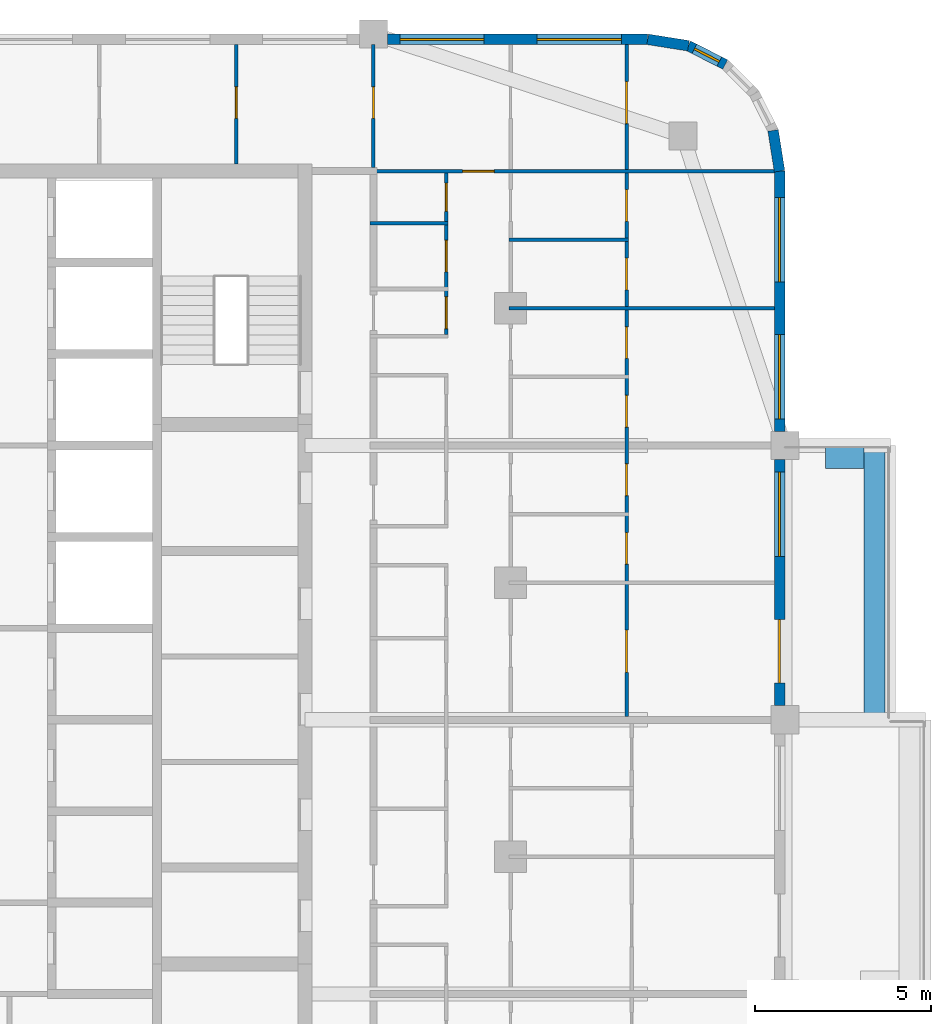
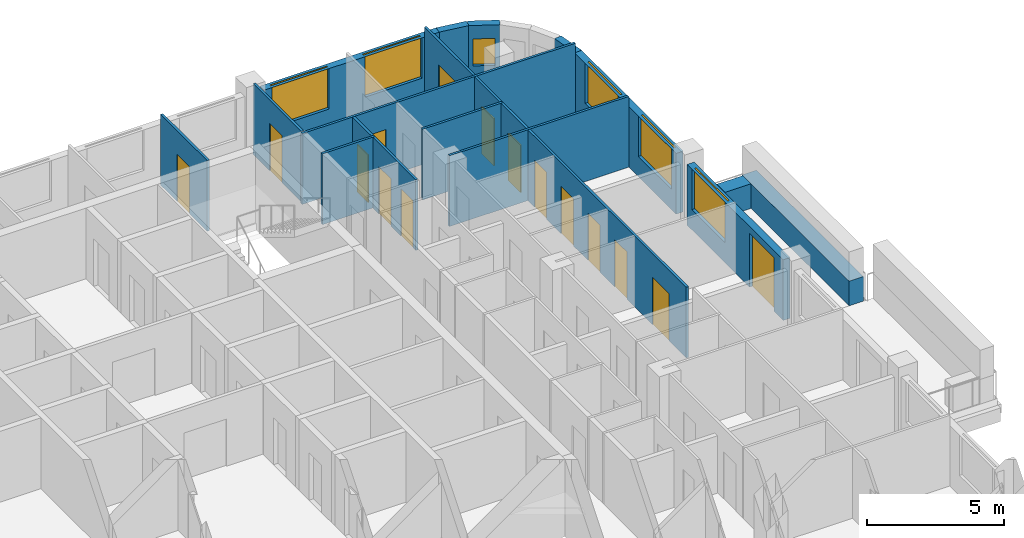
# One storey, part 11 of 15: 16 walls, 15 doors, 6 windows, 21 openings.
"""IFC4 building model written with IfcOpenShell, lengths in metres."""

from ifc_helpers import new_model, si_unit, direction, frame, frame_2d, origin, place, context, subcontext, project, spatial, rectangle, extrude, material, layer, layer_set, type_object, element, fill, save


model = new_model("IFC4")

# Units and contexts
model_context = context("Model", 3, precision=1e-05, world=origin(), true_north=direction((0.0, 1.0)))
body_context = subcontext(model_context, "Body", "Model", "MODEL_VIEW")
ifc_project = project(units=[si_unit("LENGTHUNIT", "METRE"), si_unit("AREAUNIT", "SQUARE_METRE"), si_unit("VOLUMEUNIT", "CUBIC_METRE"), si_unit("PLANEANGLEUNIT", "RADIAN"), si_unit("MASSUNIT", "GRAM", prefix="KILO")], contexts=[model_context])

# Site, building, storey
site_placement = place(None, origin())
site = spatial("IfcSite", under=ifc_project, at=site_placement, CompositionType="ELEMENT")
building_placement = place(site_placement, origin())
building = spatial("IfcBuilding", under=site, at=building_placement, Name="Ludao Terraces", CompositionType="ELEMENT")
storey_placement = place(building_placement, frame((0.0, 0.0, 197.300048828125)))
storey = spatial("IfcBuildingStorey", under=building, at=storey_placement, Name="L53", CompositionType="ELEMENT", Elevation=197.300048828125)

# Walls
ifc_material_1 = material(Name="Concrete C40", Category="concrete")
ifc_layer_1 = layer(ifc_material_1, 0.60009765625)
ifc_layer_set_1 = layer_set([ifc_layer_1], Name="ENV Planter trough 600")
wall_type_1 = type_object("IfcWallType", Name="ENV Planter trough 600", PredefinedType="USERDEFINED", material=ifc_layer_set_1)
wall_1_placement = place(storey_placement, frame((110.949951171875, 68.89990234375, 0.0), z_axis=(0.0, 0.0, 1.0), x_axis=(0.0, 1.0, 0.0)))
element("IfcWall", 1, at=wall_1_placement, inside=storey, type_object=wall_type_1, Name="PL-L53-E2", ObjectType="PLANTER", PredefinedType="USERDEFINED", context=body_context, shape_type="SweptSolid", body=[
    extrude(rectangle(XDim=7.800048828125, YDim=0.60009765625, at=frame_2d((3.89990234375, 0.0))), origin(), (0.0, 0.0, 1.0), 1.099853515625),
])
wall_2_placement = place(storey_placement, frame((110.64990234375, 76.35009765625, 0.0), z_axis=(0.0, 0.0, 1.0), x_axis=(-1.0, 0.0, 0.0)))
element("IfcWall", 2, at=wall_2_placement, inside=storey, type_object=wall_type_1, Name="PL-L53-E2-SB", ObjectType="PLANTER", PredefinedType="USERDEFINED", context=body_context, shape_type="SweptSolid", body=[
    extrude(rectangle(XDim=1.099853515625, YDim=0.60009765625, at=frame_2d((0.5498046875, 0.0))), origin(), (0.0, 0.0, 1.0), 1.099853515625),
])

# Wall, openings, door, window
ifc_material_2 = material(Name="Granite cladding", Category="masonry")
ifc_layer_2 = layer(ifc_material_2, 0.0400390625, Category="stone")
ifc_material_3 = material(Name="Mineral wool")
ifc_layer_3 = layer(ifc_material_3, 0.06005859375)
ifc_layer_4 = layer(ifc_material_1, 0.199951171875, Category="concrete")
ifc_layer_set_2 = layer_set([ifc_layer_2, ifc_layer_3, ifc_layer_4], Name="ENV Stone-clad wall 300")
wall_type_2 = type_object("IfcWallType", Name="ENV Stone-clad wall 300", PredefinedType="SOLIDWALL", material=ifc_layer_set_2)
wall_3_placement = place(storey_placement, frame((108.25, 69.300048828125, 0.0), z_axis=(0.0, 0.0, 1.0), x_axis=(0.0, 1.0, 0.0)))
wall_3 = element("IfcWall", 3, at=wall_3_placement, inside=storey, type_object=wall_type_2, Name="EW-L53-E4", PredefinedType="SOLIDWALL", context=body_context, shape_type="SweptSolid", body=[
    extrude(rectangle(XDim=7.0, YDim=0.300048828125, at=frame_2d((3.5, 0.0))), origin(), (0.0, 0.0, 1.0), 2.699951171875),
])
opening_1_placement = place(wall_3_placement, frame((0.64990234375, 0.0, 0.0)))
opening_1 = element("IfcOpeningElement", 4, at=opening_1_placement, cuts=wall_3, Name="Opening BD", PredefinedType="OPENING", context=body_context, shape_type="SweptSolid", body=[
    extrude(rectangle(XDim=1.800048828125, YDim=2.39990234375, at=frame_2d((0.89990234375, 1.199951171875))), frame((0.0, 0.16015625, 0.0), z_axis=(0.0, -1.0, 0.0), x_axis=(1.0, 0.0, 0.0)), (0.0, 0.0, 1.0), 0.320068359375),
])
opening_2_placement = place(wall_3_placement, frame((4.25, 0.0, 0.89990234375)))
opening_2 = element("IfcOpeningElement", 5, at=opening_2_placement, cuts=wall_3, Name="Opening W1", PredefinedType="OPENING", context=body_context, shape_type="SweptSolid", body=[
    extrude(rectangle(XDim=2.39990234375, YDim=1.800048828125, at=frame_2d((1.199951171875, 0.89990234375))), frame((0.0, 0.16015625, 0.0), z_axis=(0.0, -1.0, 0.0), x_axis=(1.0, 0.0, 0.0)), (0.0, 0.0, 1.0), 0.320068359375),
])
ifc_material_4 = material(Name="Aluminium glazed door", Category="aluminium")
ifc_layer_5 = layer(ifc_material_4, 0.06005859375)
ifc_layer_set_3 = layer_set([ifc_layer_5], Name="ENV Balcony door BD 1800x2400")
door_type_1 = type_object("IfcDoorType", Name="ENV Balcony door BD 1800x2400", OperationType="DOUBLE_DOOR_SINGLE_SWING", PredefinedType="DOOR", material=ifc_layer_set_3)
door_1_placement = place(opening_1_placement, origin())
door_1 = element("IfcDoor", 6, at=door_1_placement, inside=storey, type_object=door_type_1, Name="BD-L53-E4-1", OperationType="DOUBLE_DOOR_SINGLE_SWING", OverallHeight=2.39990234375, OverallWidth=1.800048828125, PredefinedType="DOOR", context=body_context, shape_type="SweptSolid", body=[
    extrude(rectangle(XDim=1.800048828125, YDim=2.39990234375, at=frame_2d((0.89990234375, 1.199951171875))), frame((0.0, 0.02490234375, 0.0), z_axis=(0.0, -1.0, 0.0), x_axis=(1.0, 0.0, 0.0)), (0.0, 0.0, 1.0), 0.050048828125),
])
fill(opening_1, door_1)
ifc_material_5 = material(Name="Clear glass in aluminium frame", Category="aluminium")
ifc_layer_6 = layer(ifc_material_5, 0.06005859375)
ifc_layer_set_4 = layer_set([ifc_layer_6], Name="ENV Window W1 2400x1800")
window_type_1 = type_object("IfcWindowType", Name="ENV Window W1 2400x1800", PartitioningType="DOUBLE_PANEL_VERTICAL", PredefinedType="WINDOW", material=ifc_layer_set_4)
window_1_placement = place(opening_2_placement, origin())
window_1 = element("IfcWindow", 7, at=window_1_placement, inside=storey, type_object=window_type_1, Name="W-L53-E4-2", OverallHeight=1.800048828125, OverallWidth=2.39990234375, PartitioningType="DOUBLE_PANEL_VERTICAL", PredefinedType="WINDOW", context=body_context, shape_type="SweptSolid", body=[
    extrude(rectangle(XDim=2.39990234375, YDim=1.800048828125, at=frame_2d((1.199951171875, 0.89990234375))), frame((0.0, 0.030029296875, 0.0), z_axis=(0.0, -1.0, 0.0), x_axis=(1.0, 0.0, 0.0)), (0.0, 0.0, 1.0), 0.06005859375),
])
fill(opening_2, window_1)

# Wall, openings, windows
wall_4_placement = place(storey_placement, frame((108.25, 77.10009765625, 0.0), z_axis=(0.0, 0.0, 1.0), x_axis=(0.0, 1.0, 0.0)))
wall_4 = element("IfcWall", 8, at=wall_4_placement, inside=storey, type_object=wall_type_2, Name="EW-L53-E5", PredefinedType="SOLIDWALL", context=body_context, shape_type="SweptSolid", body=[
    extrude(rectangle(XDim=7.39990234375, YDim=0.300048828125, at=frame_2d((3.699951171875, 0.0))), origin(), (0.0, 0.0, 1.0), 2.699951171875),
])
opening_3_placement = place(wall_4_placement, frame((0.35009765625, 0.0, 0.89990234375)))
opening_3 = element("IfcOpeningElement", 9, at=opening_3_placement, cuts=wall_4, Name="Opening W1", PredefinedType="OPENING", context=body_context, shape_type="SweptSolid", body=[
    extrude(rectangle(XDim=2.39990234375, YDim=1.800048828125, at=frame_2d((1.199951171875, 0.89990234375))), frame((0.0, 0.16015625, 0.0), z_axis=(0.0, -1.0, 0.0), x_axis=(1.0, 0.0, 0.0)), (0.0, 0.0, 1.0), 0.320068359375),
])
opening_4_placement = place(wall_4_placement, frame((4.25, 0.0, 0.89990234375)))
opening_4 = element("IfcOpeningElement", 10, at=opening_4_placement, cuts=wall_4, Name="Opening W1", PredefinedType="OPENING", context=body_context, shape_type="SweptSolid", body=[
    extrude(rectangle(XDim=2.39990234375, YDim=1.800048828125, at=frame_2d((1.199951171875, 0.89990234375))), frame((0.0, 0.16015625, 0.0), z_axis=(0.0, -1.0, 0.0), x_axis=(1.0, 0.0, 0.0)), (0.0, 0.0, 1.0), 0.320068359375),
])
window_2_placement = place(opening_3_placement, origin())
window_2 = element("IfcWindow", 11, at=window_2_placement, inside=storey, type_object=window_type_1, Name="W-L53-E5-1", OverallHeight=1.800048828125, OverallWidth=2.39990234375, PartitioningType="DOUBLE_PANEL_VERTICAL", PredefinedType="WINDOW", context=body_context, shape_type="SweptSolid", body=[
    extrude(rectangle(XDim=2.39990234375, YDim=1.800048828125, at=frame_2d((1.199951171875, 0.89990234375))), frame((0.0, 0.030029296875, 0.0), z_axis=(0.0, -1.0, 0.0), x_axis=(1.0, 0.0, 0.0)), (0.0, 0.0, 1.0), 0.06005859375),
])
fill(opening_3, window_2)
window_3_placement = place(opening_4_placement, origin())
window_3 = element("IfcWindow", 12, at=window_3_placement, inside=storey, type_object=window_type_1, Name="W-L53-E5-2", OverallHeight=1.800048828125, OverallWidth=2.39990234375, PartitioningType="DOUBLE_PANEL_VERTICAL", PredefinedType="WINDOW", context=body_context, shape_type="SweptSolid", body=[
    extrude(rectangle(XDim=2.39990234375, YDim=1.800048828125, at=frame_2d((1.199951171875, 0.89990234375))), frame((0.0, 0.030029296875, 0.0), z_axis=(0.0, -1.0, 0.0), x_axis=(1.0, 0.0, 0.0)), (0.0, 0.0, 1.0), 0.06005859375),
])
fill(opening_4, window_3)

wall_5_placement = place(storey_placement, frame((97.10009765625, 88.25, 0.0), z_axis=(0.0, 0.0, 1.0), x_axis=(1.0, 0.0, 0.0)))
wall_5 = element("IfcWall", 13, at=wall_5_placement, inside=storey, type_object=wall_type_2, Name="EW-L53-N3", PredefinedType="SOLIDWALL", context=body_context, shape_type="SweptSolid", body=[
    extrude(rectangle(XDim=7.39990234375, YDim=0.300048828125, at=frame_2d((3.699951171875, 0.0))), origin(), (0.0, 0.0, 1.0), 2.699951171875),
])
opening_5_placement = place(wall_5_placement, frame((0.35009765625, 0.0, 0.89990234375)))
opening_5 = element("IfcOpeningElement", 14, at=opening_5_placement, cuts=wall_5, Name="Opening W1", PredefinedType="OPENING", context=body_context, shape_type="SweptSolid", body=[
    extrude(rectangle(XDim=2.39990234375, YDim=1.800048828125, at=frame_2d((1.199951171875, 0.89990234375))), frame((0.0, 0.16015625, 0.0), z_axis=(0.0, -1.0, 0.0), x_axis=(1.0, 0.0, 0.0)), (0.0, 0.0, 1.0), 0.320068359375),
])
opening_6_placement = place(wall_5_placement, frame((4.25, 0.0, 0.89990234375)))
opening_6 = element("IfcOpeningElement", 15, at=opening_6_placement, cuts=wall_5, Name="Opening W1", PredefinedType="OPENING", context=body_context, shape_type="SweptSolid", body=[
    extrude(rectangle(XDim=2.39990234375, YDim=1.800048828125, at=frame_2d((1.199951171875, 0.89990234375))), frame((0.0, 0.16015625, 0.0), z_axis=(0.0, -1.0, 0.0), x_axis=(1.0, 0.0, 0.0)), (0.0, 0.0, 1.0), 0.320068359375),
])
window_4_placement = place(opening_5_placement, origin())
window_4 = element("IfcWindow", 16, at=window_4_placement, inside=storey, type_object=window_type_1, Name="W-L53-N3-1", OverallHeight=1.800048828125, OverallWidth=2.39990234375, PartitioningType="DOUBLE_PANEL_VERTICAL", PredefinedType="WINDOW", context=body_context, shape_type="SweptSolid", body=[
    extrude(rectangle(XDim=2.39990234375, YDim=1.800048828125, at=frame_2d((1.199951171875, 0.89990234375))), frame((0.0, 0.030029296875, 0.0), z_axis=(0.0, -1.0, 0.0), x_axis=(1.0, 0.0, 0.0)), (0.0, 0.0, 1.0), 0.06005859375),
])
fill(opening_5, window_4)
window_5_placement = place(opening_6_placement, origin())
window_5 = element("IfcWindow", 17, at=window_5_placement, inside=storey, type_object=window_type_1, Name="W-L53-N3-2", OverallHeight=1.800048828125, OverallWidth=2.39990234375, PartitioningType="DOUBLE_PANEL_VERTICAL", PredefinedType="WINDOW", context=body_context, shape_type="SweptSolid", body=[
    extrude(rectangle(XDim=2.39990234375, YDim=1.800048828125, at=frame_2d((1.199951171875, 0.89990234375))), frame((0.0, 0.030029296875, 0.0), z_axis=(0.0, -1.0, 0.0), x_axis=(1.0, 0.0, 0.0)), (0.0, 0.0, 1.0), 0.06005859375),
])
fill(opening_6, window_5)

# Wall
wall_6_placement = place(storey_placement, frame((108.25, 84.5, 0.0), z_axis=(0.0, 0.0, 1.0), x_axis=(-0.156496880861, 0.987678452879, 0.0)))
element("IfcWall", 18, at=wall_6_placement, inside=storey, type_object=wall_type_2, Name="EW-L53-NE1", PredefinedType="SOLIDWALL", context=body_context, shape_type="SweptSolid", body=[
    extrude(rectangle(XDim=1.173095703125, YDim=0.300048828125, at=frame_2d((0.58642578125, 0.0))), origin(), (0.0, 0.0, 1.0), 2.699951171875),
])

# Wall, opening, window
wall_7_placement = place(storey_placement, frame((106.7041015625, 87.53369140625, 0.0), z_axis=(0.0, 0.0, 1.0), x_axis=(-0.890988677504, 0.454025524128, 0.0)))
wall_7 = element("IfcWall", 19, at=wall_7_placement, inside=storey, type_object=wall_type_2, Name="EW-L53-NE4", PredefinedType="SOLIDWALL", context=body_context, shape_type="SweptSolid", body=[
    extrude(rectangle(XDim=1.17333984375, YDim=0.300048828125, at=frame_2d((0.586669921875, 0.0))), origin(), (0.0, 0.0, 1.0), 2.699951171875),
])
opening_7_placement = place(wall_7_placement, frame((0.1865234375, 0.0, 0.89990234375)))
opening_7 = element("IfcOpeningElement", 20, at=opening_7_placement, cuts=wall_7, Name="Opening W3", PredefinedType="OPENING", context=body_context, shape_type="SweptSolid", body=[
    extrude(rectangle(XDim=0.800048828125, YDim=1.199951171875, at=frame_2d((0.39990234375, 0.60009765625))), frame((0.0, 0.16015625, 0.0), z_axis=(0.0, -1.0, 0.0), x_axis=(1.0, 0.0, 0.0)), (0.0, 0.0, 1.0), 0.320068359375),
])
ifc_layer_7 = layer(ifc_material_5, 0.06005859375)
ifc_layer_set_5 = layer_set([ifc_layer_7], Name="ENV Window W3 800x1200")
window_type_2 = type_object("IfcWindowType", Name="ENV Window W3 800x1200", PartitioningType="SINGLE_PANEL", PredefinedType="WINDOW", material=ifc_layer_set_5)
window_6_placement = place(opening_7_placement, origin())
window_6 = element("IfcWindow", 21, at=window_6_placement, inside=storey, type_object=window_type_2, Name="W-L53-NE4", OverallHeight=1.199951171875, OverallWidth=0.800048828125, PartitioningType="SINGLE_PANEL", PredefinedType="WINDOW", context=body_context, shape_type="SweptSolid", body=[
    extrude(rectangle(XDim=0.800048828125, YDim=1.199951171875, at=frame_2d((0.39990234375, 0.60009765625))), frame((0.0, 0.030029296875, 0.0), z_axis=(0.0, -1.0, 0.0), x_axis=(1.0, 0.0, 0.0)), (0.0, 0.0, 1.0), 0.06005859375),
])
fill(opening_7, window_6)

# Walls
wall_8_placement = place(storey_placement, frame((105.65869140625, 88.06640625, 0.0), z_axis=(0.0, 0.0, 1.0), x_axis=(-0.987678452879, 0.156496880861, 0.0)))
element("IfcWall", 22, at=wall_8_placement, inside=storey, type_object=wall_type_2, Name="EW-L53-NE5", PredefinedType="SOLIDWALL", context=body_context, shape_type="SweptSolid", body=[
    extrude(rectangle(XDim=1.173095703125, YDim=0.300048828125, at=frame_2d((0.58642578125, 0.0))), origin(), (0.0, 0.0, 1.0), 2.699951171875),
])
ifc_material_6 = material(Name="Gypsum plasterboard", Category="gypsum")
ifc_layer_8 = layer(ifc_material_6, 0.012451171875, Category="gypsum")
ifc_layer_9 = layer(ifc_material_3, 0.06005859375, Name="insulation")
ifc_material_7 = material(Name="Steel Q235", Category="steel")
ifc_layer_10 = layer(ifc_material_7, 0.014892578125, Name="stud")
ifc_layer_11 = layer(ifc_material_6, 0.012451171875, Category="gypsum")
ifc_layer_set_6 = layer_set([ifc_layer_8, ifc_layer_9, ifc_layer_10, ifc_layer_11], Name="INT Partition 100")
wall_type_3 = type_object("IfcWallType", Name="INT Partition 100", PredefinedType="PARTITIONING", material=ifc_layer_set_6)
wall_9_placement = place(storey_placement, frame((100.550048828125, 80.60009765625, 0.0), z_axis=(0.0, 0.0, 1.0), x_axis=(1.0, 0.0, 0.0)))
element("IfcWall", 23, at=wall_9_placement, inside=storey, type_object=wall_type_3, Name="PW-L53-PW065", PredefinedType="PARTITIONING", context=body_context, shape_type="SweptSolid", body=[
    extrude(rectangle(XDim=7.550048828125, YDim=0.10009765625, at=frame_2d((3.77490234375, 0.0))), origin(), (0.0, 0.0, 1.0), 3.14990234375),
])
wall_10_placement = place(storey_placement, frame((100.550048828125, 82.550048828125, 0.0), z_axis=(0.0, 0.0, 1.0), x_axis=(1.0, 0.0, 0.0)))
element("IfcWall", 24, at=wall_10_placement, inside=storey, type_object=wall_type_3, Name="PW-L53-PW068", PredefinedType="PARTITIONING", context=body_context, shape_type="SweptSolid", body=[
    extrude(rectangle(XDim=3.400146484375, YDim=0.10009765625, at=frame_2d((1.7001953125, 0.0))), origin(), (0.0, 0.0, 1.0), 3.14990234375),
])
wall_11_placement = place(storey_placement, frame((96.60009765625, 83.02001953125, 0.0), z_axis=(0.0, 0.0, 1.0), x_axis=(1.0, 0.0, 0.0)))
element("IfcWall", 25, at=wall_11_placement, inside=storey, type_object=wall_type_3, Name="PW-L53-PW070", PredefinedType="PARTITIONING", context=body_context, shape_type="SweptSolid", body=[
    extrude(rectangle(XDim=2.219970703125, YDim=0.10009765625, at=frame_2d((1.10986328125, 0.0))), origin(), (0.0, 0.0, 1.0), 3.14990234375),
])

# Wall, opening, door
wall_12_placement = place(storey_placement, frame((96.60009765625, 84.5, 0.0), z_axis=(0.0, 0.0, 1.0), x_axis=(1.0, 0.0, 0.0)))
wall_12 = element("IfcWall", 26, at=wall_12_placement, inside=storey, type_object=wall_type_3, Name="PW-L53-PW074", PredefinedType="PARTITIONING", context=body_context, shape_type="SweptSolid", body=[
    extrude(rectangle(XDim=11.5, YDim=0.10009765625, at=frame_2d((5.75, 0.0))), origin(), (0.0, 0.0, 1.0), 3.14990234375),
])
opening_8_placement = place(wall_12_placement, frame((2.635009765625, 0.0, 0.0)))
opening_8 = element("IfcOpeningElement", 27, at=opening_8_placement, cuts=wall_12, Name="Opening R19-138", PredefinedType="OPENING", context=body_context, shape_type="SweptSolid", body=[
    extrude(rectangle(XDim=0.89990234375, YDim=2.10009765625, at=frame_2d((0.449951171875, 1.050048828125))), frame((0.0, 0.06005859375, 0.0), z_axis=(0.0, -1.0, 0.0), x_axis=(1.0, 0.0, 0.0)), (0.0, 0.0, 1.0), 0.1201171875),
])
ifc_material_8 = material(Name="Timber door leaf", Category="wood")
door_type_2 = type_object("IfcDoorType", Name="INT Room door 900", OperationType="SINGLE_SWING_LEFT", PredefinedType="DOOR", material=ifc_material_8)
door_2_placement = place(opening_8_placement, origin())
door_2 = element("IfcDoor", 28, at=door_2_placement, inside=storey, type_object=door_type_2, Name="DOOR 138", OperationType="SINGLE_SWING_RIGHT", OverallHeight=2.10009765625, OverallWidth=0.89990234375, PredefinedType="DOOR", context=body_context, shape_type="SweptSolid", body=[
    extrude(rectangle(XDim=0.89990234375, YDim=2.10009765625, at=frame_2d((0.449951171875, 1.050048828125))), frame((0.0, 0.02490234375, 0.0), z_axis=(0.0, -1.0, 0.0), x_axis=(1.0, 0.0, 0.0)), (0.0, 0.0, 1.0), 0.050048828125),
])
fill(opening_8, door_2)

wall_13_placement = place(storey_placement, frame((92.800048828125, 84.7001953125, 0.0), z_axis=(0.0, 0.0, 1.0), x_axis=(0.0, 1.0, 0.0)))
wall_13 = element("IfcWall", 29, at=wall_13_placement, inside=storey, type_object=wall_type_3, Name="PW-L53-PW093", PredefinedType="PARTITIONING", context=body_context, shape_type="SweptSolid", body=[
    extrude(rectangle(XDim=3.39990234375, YDim=0.10009765625, at=frame_2d((1.699951171875, 0.0))), origin(), (0.0, 0.0, 1.0), 3.14990234375),
])
opening_9_placement = place(wall_13_placement, frame((1.2998046875, 0.0, 0.0)))
opening_9 = element("IfcOpeningElement", 30, at=opening_9_placement, cuts=wall_13, Name="Opening R19-145", PredefinedType="OPENING", context=body_context, shape_type="SweptSolid", body=[
    extrude(rectangle(XDim=0.89990234375, YDim=2.10009765625, at=frame_2d((0.449951171875, 1.050048828125))), frame((0.0, 0.06005859375, 0.0), z_axis=(0.0, -1.0, 0.0), x_axis=(1.0, 0.0, 0.0)), (0.0, 0.0, 1.0), 0.1201171875),
])
door_3_placement = place(opening_9_placement, origin())
door_3 = element("IfcDoor", 31, at=door_3_placement, inside=storey, type_object=door_type_2, Name="DOOR 145", OperationType="SINGLE_SWING_RIGHT", OverallHeight=2.10009765625, OverallWidth=0.89990234375, PredefinedType="DOOR", context=body_context, shape_type="SweptSolid", body=[
    extrude(rectangle(XDim=0.89990234375, YDim=2.10009765625, at=frame_2d((0.449951171875, 1.050048828125))), frame((0.0, 0.02490234375, 0.0), z_axis=(0.0, -1.0, 0.0), x_axis=(1.0, 0.0, 0.0)), (0.0, 0.0, 1.0), 0.050048828125),
])
fill(opening_9, door_3)

wall_14_placement = place(storey_placement, frame((96.699951171875, 84.60009765625, 0.0), z_axis=(0.0, 0.0, 1.0), x_axis=(0.0, 1.0, 0.0)))
wall_14 = element("IfcWall", 32, at=wall_14_placement, inside=storey, type_object=wall_type_3, Name="PW-L53-PW096", PredefinedType="PARTITIONING", context=body_context, shape_type="SweptSolid", body=[
    extrude(rectangle(XDim=3.5, YDim=0.10009765625, at=frame_2d((1.75, 0.0))), origin(), (0.0, 0.0, 1.0), 3.14990234375),
])
opening_10_placement = place(wall_14_placement, frame((1.39990234375, 0.0, 0.0)))
opening_10 = element("IfcOpeningElement", 33, at=opening_10_placement, cuts=wall_14, Name="Opening R19-146", PredefinedType="OPENING", context=body_context, shape_type="SweptSolid", body=[
    extrude(rectangle(XDim=0.89990234375, YDim=2.10009765625, at=frame_2d((0.449951171875, 1.050048828125))), frame((0.0, 0.06005859375, 0.0), z_axis=(0.0, -1.0, 0.0), x_axis=(1.0, 0.0, 0.0)), (0.0, 0.0, 1.0), 0.1201171875),
])
door_4_placement = place(opening_10_placement, origin())
door_4 = element("IfcDoor", 34, at=door_4_placement, inside=storey, type_object=door_type_2, Name="DOOR 146", OperationType="SINGLE_SWING_RIGHT", OverallHeight=2.10009765625, OverallWidth=0.89990234375, PredefinedType="DOOR", context=body_context, shape_type="SweptSolid", body=[
    extrude(rectangle(XDim=0.89990234375, YDim=2.10009765625, at=frame_2d((0.449951171875, 1.050048828125))), frame((0.0, 0.02490234375, 0.0), z_axis=(0.0, -1.0, 0.0), x_axis=(1.0, 0.0, 0.0)), (0.0, 0.0, 1.0), 0.050048828125),
])
fill(opening_10, door_4)

# Wall, openings, doors
wall_15_placement = place(storey_placement, frame((98.77001953125, 79.85009765625, 0.0), z_axis=(0.0, 0.0, 1.0), x_axis=(0.0, 1.0, 0.0)))
wall_15 = element("IfcWall", 35, at=wall_15_placement, inside=storey, type_object=wall_type_3, Name="PW-L53-PW101", PredefinedType="PARTITIONING", context=body_context, shape_type="SweptSolid", body=[
    extrude(rectangle(XDim=4.60009765625, YDim=0.10009765625, at=frame_2d((2.300048828125, 0.0))), origin(), (0.0, 0.0, 1.0), 3.14990234375),
])
opening_11_placement = place(wall_15_placement, frame((0.175048828125, 0.0, 0.0)))
opening_11 = element("IfcOpeningElement", 36, at=opening_11_placement, cuts=wall_15, Name="Opening R19-122", PredefinedType="OPENING", context=body_context, shape_type="SweptSolid", body=[
    extrude(rectangle(XDim=0.89990234375, YDim=2.10009765625, at=frame_2d((0.449951171875, 1.050048828125))), frame((0.0, 0.06005859375, 0.0), z_axis=(0.0, -1.0, 0.0), x_axis=(1.0, 0.0, 0.0)), (0.0, 0.0, 1.0), 0.1201171875),
])
opening_12_placement = place(wall_15_placement, frame((1.784912109375, 0.0, 0.0)))
opening_12 = element("IfcOpeningElement", 37, at=opening_12_placement, cuts=wall_15, Name="Opening R19-127", PredefinedType="OPENING", context=body_context, shape_type="SweptSolid", body=[
    extrude(rectangle(XDim=0.89990234375, YDim=2.10009765625, at=frame_2d((0.449951171875, 1.050048828125))), frame((0.0, 0.06005859375, 0.0), z_axis=(0.0, -1.0, 0.0), x_axis=(1.0, 0.0, 0.0)), (0.0, 0.0, 1.0), 0.1201171875),
])
opening_13_placement = place(wall_15_placement, frame((3.510009765625, 0.0, 0.0)))
opening_13 = element("IfcOpeningElement", 38, at=opening_13_placement, cuts=wall_15, Name="Opening R19-136", PredefinedType="OPENING", context=body_context, shape_type="SweptSolid", body=[
    extrude(rectangle(XDim=0.800048828125, YDim=2.10009765625, at=frame_2d((0.39990234375, 1.050048828125))), frame((0.0, 0.06005859375, 0.0), z_axis=(0.0, -1.0, 0.0), x_axis=(1.0, 0.0, 0.0)), (0.0, 0.0, 1.0), 0.1201171875),
])
door_type_3 = type_object("IfcDoorType", Name="INT Bathroom door 900", OperationType="SINGLE_SWING_LEFT", PredefinedType="DOOR", material=ifc_material_8)
door_5_placement = place(opening_11_placement, origin())
door_5 = element("IfcDoor", 39, at=door_5_placement, inside=storey, type_object=door_type_3, Name="DOOR 122", OperationType="SINGLE_SWING_RIGHT", OverallHeight=2.10009765625, OverallWidth=0.89990234375, PredefinedType="DOOR", context=body_context, shape_type="SweptSolid", body=[
    extrude(rectangle(XDim=0.89990234375, YDim=2.10009765625, at=frame_2d((0.449951171875, 1.050048828125))), frame((0.0, 0.02490234375, 0.0), z_axis=(0.0, -1.0, 0.0), x_axis=(1.0, 0.0, 0.0)), (0.0, 0.0, 1.0), 0.050048828125),
])
fill(opening_11, door_5)
door_6_placement = place(opening_12_placement, origin())
door_6 = element("IfcDoor", 40, at=door_6_placement, inside=storey, type_object=door_type_2, Name="DOOR 127", OperationType="SINGLE_SWING_LEFT", OverallHeight=2.10009765625, OverallWidth=0.89990234375, PredefinedType="DOOR", context=body_context, shape_type="SweptSolid", body=[
    extrude(rectangle(XDim=0.89990234375, YDim=2.10009765625, at=frame_2d((0.449951171875, 1.050048828125))), frame((0.0, 0.02490234375, 0.0), z_axis=(0.0, -1.0, 0.0), x_axis=(1.0, 0.0, 0.0)), (0.0, 0.0, 1.0), 0.050048828125),
])
fill(opening_12, door_6)
door_type_4 = type_object("IfcDoorType", Name="INT Store door 800", OperationType="SINGLE_SWING_LEFT", PredefinedType="DOOR", material=ifc_material_8)
door_7_placement = place(opening_13_placement, origin())
door_7 = element("IfcDoor", 41, at=door_7_placement, inside=storey, type_object=door_type_4, Name="DOOR 136", OperationType="SINGLE_SWING_LEFT", OverallHeight=2.10009765625, OverallWidth=0.800048828125, PredefinedType="DOOR", context=body_context, shape_type="SweptSolid", body=[
    extrude(rectangle(XDim=0.800048828125, YDim=2.10009765625, at=frame_2d((0.39990234375, 1.050048828125))), frame((0.0, 0.02490234375, 0.0), z_axis=(0.0, -1.0, 0.0), x_axis=(1.0, 0.0, 0.0)), (0.0, 0.0, 1.0), 0.050048828125),
])
fill(opening_13, door_7)

wall_16_placement = place(storey_placement, frame((103.89990234375, 69.0, 0.0), z_axis=(0.0, 0.0, 1.0), x_axis=(0.0, 1.0, 0.0)))
wall_16 = element("IfcWall", 42, at=wall_16_placement, inside=storey, type_object=wall_type_3, Name="PW-L53-PW103", PredefinedType="PARTITIONING", context=body_context, shape_type="SweptSolid", body=[
    extrude(rectangle(XDim=19.10009765625, YDim=0.10009765625, at=frame_2d((9.550048828125, 0.0))), origin(), (0.0, 0.0, 1.0), 3.14990234375),
])
opening_14_placement = place(wall_16_placement, frame((1.25, 0.0, 0.0)))
opening_14 = element("IfcOpeningElement", 43, at=opening_14_placement, cuts=wall_16, Name="Opening R19-085", PredefinedType="OPENING", context=body_context, shape_type="SweptSolid", body=[
    extrude(rectangle(XDim=1.199951171875, YDim=2.10009765625, at=frame_2d((0.60009765625, 1.050048828125))), frame((0.0, 0.06005859375, 0.0), z_axis=(0.0, -1.0, 0.0), x_axis=(1.0, 0.0, 0.0)), (0.0, 0.0, 1.0), 0.1201171875),
])
opening_15_placement = place(wall_16_placement, frame((4.3251953125, 0.0, 0.0)))
opening_15 = element("IfcOpeningElement", 44, at=opening_15_placement, cuts=wall_16, Name="Opening R19-095", PredefinedType="OPENING", context=body_context, shape_type="SweptSolid", body=[
    extrude(rectangle(XDim=0.89990234375, YDim=2.10009765625, at=frame_2d((0.449951171875, 1.050048828125))), frame((0.0, 0.06005859375, 0.0), z_axis=(0.0, -1.0, 0.0), x_axis=(1.0, 0.0, 0.0)), (0.0, 0.0, 1.0), 0.1201171875),
])
opening_16_placement = place(wall_16_placement, frame((6.275146484375, 0.0, 0.0)))
opening_16 = element("IfcOpeningElement", 45, at=opening_16_placement, cuts=wall_16, Name="Opening R19-106", PredefinedType="OPENING", context=body_context, shape_type="SweptSolid", body=[
    extrude(rectangle(XDim=0.89990234375, YDim=2.10009765625, at=frame_2d((0.449951171875, 1.050048828125))), frame((0.0, 0.06005859375, 0.0), z_axis=(0.0, -1.0, 0.0), x_axis=(1.0, 0.0, 0.0)), (0.0, 0.0, 1.0), 0.1201171875),
])
opening_17_placement = place(wall_16_placement, frame((8.22509765625, 0.0, 0.0)))
opening_17 = element("IfcOpeningElement", 46, at=opening_17_placement, cuts=wall_16, Name="Opening R19-110", PredefinedType="OPENING", context=body_context, shape_type="SweptSolid", body=[
    extrude(rectangle(XDim=0.89990234375, YDim=2.10009765625, at=frame_2d((0.449951171875, 1.050048828125))), frame((0.0, 0.06005859375, 0.0), z_axis=(0.0, -1.0, 0.0), x_axis=(1.0, 0.0, 0.0)), (0.0, 0.0, 1.0), 0.1201171875),
])
opening_18_placement = place(wall_16_placement, frame((10.175048828125, 0.0, 0.0)))
opening_18 = element("IfcOpeningElement", 47, at=opening_18_placement, cuts=wall_16, Name="Opening R19-120", PredefinedType="OPENING", context=body_context, shape_type="SweptSolid", body=[
    extrude(rectangle(XDim=0.89990234375, YDim=2.10009765625, at=frame_2d((0.449951171875, 1.050048828125))), frame((0.0, 0.06005859375, 0.0), z_axis=(0.0, -1.0, 0.0), x_axis=(1.0, 0.0, 0.0)), (0.0, 0.0, 1.0), 0.1201171875),
])
opening_19_placement = place(wall_16_placement, frame((12.125, 0.0, 0.0)))
opening_19 = element("IfcOpeningElement", 48, at=opening_19_placement, cuts=wall_16, Name="Opening R19-126", PredefinedType="OPENING", context=body_context, shape_type="SweptSolid", body=[
    extrude(rectangle(XDim=0.89990234375, YDim=2.10009765625, at=frame_2d((0.449951171875, 1.050048828125))), frame((0.0, 0.06005859375, 0.0), z_axis=(0.0, -1.0, 0.0), x_axis=(1.0, 0.0, 0.0)), (0.0, 0.0, 1.0), 0.1201171875),
])
opening_20_placement = place(wall_16_placement, frame((14.0751953125, 0.0, 0.0)))
opening_20 = element("IfcOpeningElement", 49, at=opening_20_placement, cuts=wall_16, Name="Opening R19-133", PredefinedType="OPENING", context=body_context, shape_type="SweptSolid", body=[
    extrude(rectangle(XDim=0.89990234375, YDim=2.10009765625, at=frame_2d((0.449951171875, 1.050048828125))), frame((0.0, 0.06005859375, 0.0), z_axis=(0.0, -1.0, 0.0), x_axis=(1.0, 0.0, 0.0)), (0.0, 0.0, 1.0), 0.1201171875),
])
opening_21_placement = place(wall_16_placement, frame((16.85009765625, 0.0, 0.0)))
opening_21 = element("IfcOpeningElement", 50, at=opening_21_placement, cuts=wall_16, Name="Opening R19-148", PredefinedType="OPENING", context=body_context, shape_type="SweptSolid", body=[
    extrude(rectangle(XDim=1.199951171875, YDim=2.10009765625, at=frame_2d((0.60009765625, 1.050048828125))), frame((0.0, 0.06005859375, 0.0), z_axis=(0.0, -1.0, 0.0), x_axis=(1.0, 0.0, 0.0)), (0.0, 0.0, 1.0), 0.1201171875),
])
door_8_placement = place(opening_15_placement, origin())
door_8 = element("IfcDoor", 51, at=door_8_placement, inside=storey, type_object=door_type_3, Name="DOOR 095", OperationType="SINGLE_SWING_LEFT", OverallHeight=2.10009765625, OverallWidth=0.89990234375, PredefinedType="DOOR", context=body_context, shape_type="SweptSolid", body=[
    extrude(rectangle(XDim=0.89990234375, YDim=2.10009765625, at=frame_2d((0.449951171875, 1.050048828125))), frame((0.0, 0.02490234375, 0.0), z_axis=(0.0, -1.0, 0.0), x_axis=(1.0, 0.0, 0.0)), (0.0, 0.0, 1.0), 0.050048828125),
])
fill(opening_15, door_8)
door_9_placement = place(opening_17_placement, origin())
door_9 = element("IfcDoor", 52, at=door_9_placement, inside=storey, type_object=door_type_3, Name="DOOR 110", OperationType="SINGLE_SWING_LEFT", OverallHeight=2.10009765625, OverallWidth=0.89990234375, PredefinedType="DOOR", context=body_context, shape_type="SweptSolid", body=[
    extrude(rectangle(XDim=0.89990234375, YDim=2.10009765625, at=frame_2d((0.449951171875, 1.050048828125))), frame((0.0, 0.02490234375, 0.0), z_axis=(0.0, -1.0, 0.0), x_axis=(1.0, 0.0, 0.0)), (0.0, 0.0, 1.0), 0.050048828125),
])
fill(opening_17, door_9)
door_10_placement = place(opening_19_placement, origin())
door_10 = element("IfcDoor", 53, at=door_10_placement, inside=storey, type_object=door_type_3, Name="DOOR 126", OperationType="SINGLE_SWING_LEFT", OverallHeight=2.10009765625, OverallWidth=0.89990234375, PredefinedType="DOOR", context=body_context, shape_type="SweptSolid", body=[
    extrude(rectangle(XDim=0.89990234375, YDim=2.10009765625, at=frame_2d((0.449951171875, 1.050048828125))), frame((0.0, 0.02490234375, 0.0), z_axis=(0.0, -1.0, 0.0), x_axis=(1.0, 0.0, 0.0)), (0.0, 0.0, 1.0), 0.050048828125),
])
fill(opening_19, door_10)
door_type_5 = type_object("IfcDoorType", Name="INT Double door 1200", OperationType="DOUBLE_DOOR_SINGLE_SWING", PredefinedType="DOOR", material=ifc_material_8)
door_11_placement = place(opening_14_placement, origin())
door_11 = element("IfcDoor", 54, at=door_11_placement, inside=storey, type_object=door_type_5, Name="DOOR 085", OperationType="DOUBLE_DOOR_SINGLE_SWING", OverallHeight=2.10009765625, OverallWidth=1.199951171875, PredefinedType="DOOR", context=body_context, shape_type="SweptSolid", body=[
    extrude(rectangle(XDim=1.199951171875, YDim=2.10009765625, at=frame_2d((0.60009765625, 1.050048828125))), frame((0.0, 0.02490234375, 0.0), z_axis=(0.0, -1.0, 0.0), x_axis=(1.0, 0.0, 0.0)), (0.0, 0.0, 1.0), 0.050048828125),
])
fill(opening_14, door_11)
door_12_placement = place(opening_21_placement, origin())
door_12 = element("IfcDoor", 55, at=door_12_placement, inside=storey, type_object=door_type_5, Name="DOOR 148", OperationType="DOUBLE_DOOR_SINGLE_SWING", OverallHeight=2.10009765625, OverallWidth=1.199951171875, PredefinedType="DOOR", context=body_context, shape_type="SweptSolid", body=[
    extrude(rectangle(XDim=1.199951171875, YDim=2.10009765625, at=frame_2d((0.60009765625, 1.050048828125))), frame((0.0, 0.02490234375, 0.0), z_axis=(0.0, -1.0, 0.0), x_axis=(1.0, 0.0, 0.0)), (0.0, 0.0, 1.0), 0.050048828125),
])
fill(opening_21, door_12)
door_13_placement = place(opening_16_placement, origin())
door_13 = element("IfcDoor", 56, at=door_13_placement, inside=storey, type_object=door_type_2, Name="DOOR 106", OperationType="SINGLE_SWING_RIGHT", OverallHeight=2.10009765625, OverallWidth=0.89990234375, PredefinedType="DOOR", context=body_context, shape_type="SweptSolid", body=[
    extrude(rectangle(XDim=0.89990234375, YDim=2.10009765625, at=frame_2d((0.449951171875, 1.050048828125))), frame((0.0, 0.02490234375, 0.0), z_axis=(0.0, -1.0, 0.0), x_axis=(1.0, 0.0, 0.0)), (0.0, 0.0, 1.0), 0.050048828125),
])
fill(opening_16, door_13)
door_14_placement = place(opening_18_placement, origin())
door_14 = element("IfcDoor", 57, at=door_14_placement, inside=storey, type_object=door_type_2, Name="DOOR 120", OperationType="SINGLE_SWING_LEFT", OverallHeight=2.10009765625, OverallWidth=0.89990234375, PredefinedType="DOOR", context=body_context, shape_type="SweptSolid", body=[
    extrude(rectangle(XDim=0.89990234375, YDim=2.10009765625, at=frame_2d((0.449951171875, 1.050048828125))), frame((0.0, 0.02490234375, 0.0), z_axis=(0.0, -1.0, 0.0), x_axis=(1.0, 0.0, 0.0)), (0.0, 0.0, 1.0), 0.050048828125),
])
fill(opening_18, door_14)
door_15_placement = place(opening_20_placement, origin())
door_15 = element("IfcDoor", 58, at=door_15_placement, inside=storey, type_object=door_type_2, Name="DOOR 133", OperationType="SINGLE_SWING_LEFT", OverallHeight=2.10009765625, OverallWidth=0.89990234375, PredefinedType="DOOR", context=body_context, shape_type="SweptSolid", body=[
    extrude(rectangle(XDim=0.89990234375, YDim=2.10009765625, at=frame_2d((0.449951171875, 1.050048828125))), frame((0.0, 0.02490234375, 0.0), z_axis=(0.0, -1.0, 0.0), x_axis=(1.0, 0.0, 0.0)), (0.0, 0.0, 1.0), 0.050048828125),
])
fill(opening_20, door_15)

save(model, "model.ifc")
